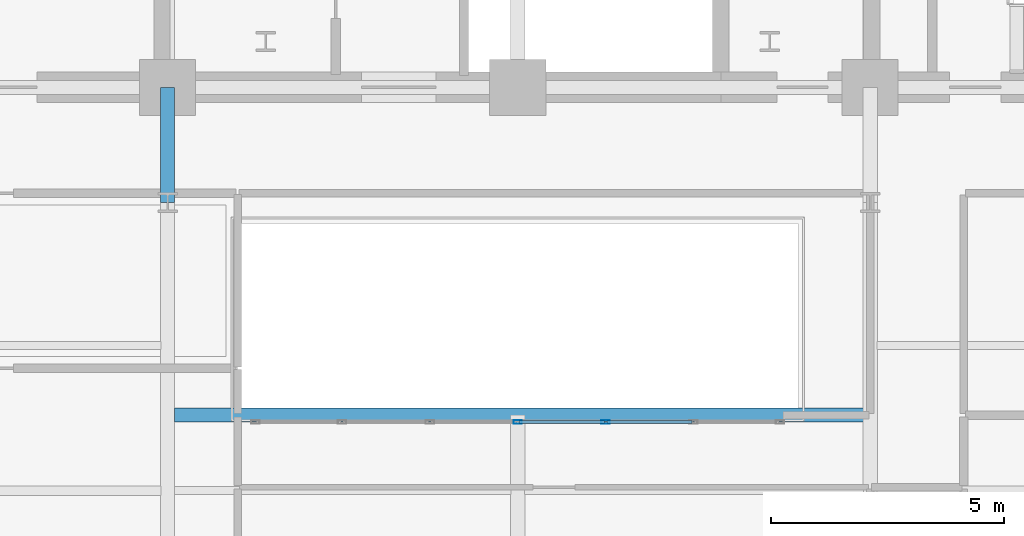
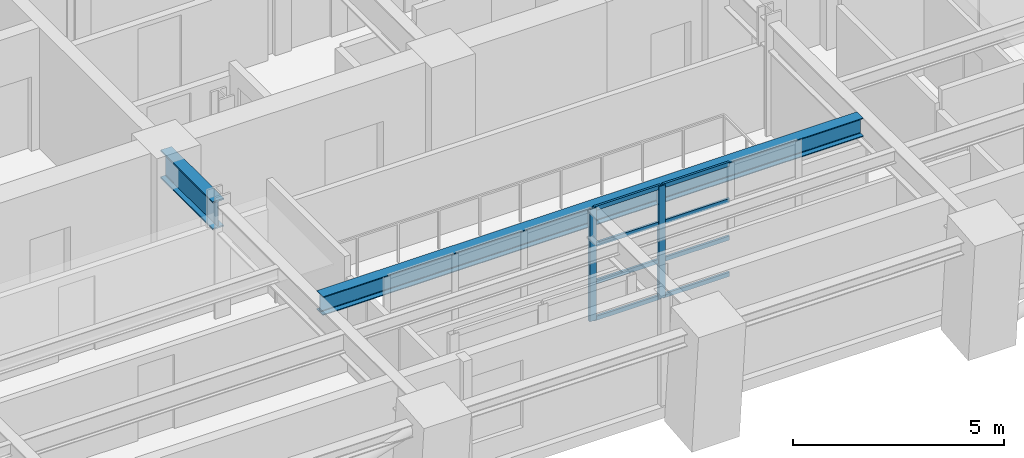
# One storey, part 3 of 16: 10 members, 2 beams, 1 element without a shape of its own.
"""IFC4 building model written with IfcOpenShell, lengths in metres."""

from ifc_helpers import new_model, si_unit, direction, frame, origin, origin_2d, place, context, subcontext, project, spatial, hollow_rectangle, i_section, extrude, material, layer, layer_set, material_profile, profile_set, type_object, element, aggregate, save


model = new_model("IFC4")

# Units and contexts
model_context = context("Model", 3, precision=1e-05, world=origin(), true_north=direction((0.0, 1.0)))
body_context = subcontext(model_context, "Body", "Model", "MODEL_VIEW")
ifc_project = project(units=[si_unit("LENGTHUNIT", "METRE"), si_unit("AREAUNIT", "SQUARE_METRE"), si_unit("VOLUMEUNIT", "CUBIC_METRE"), si_unit("PLANEANGLEUNIT", "RADIAN"), si_unit("MASSUNIT", "GRAM", prefix="KILO")], contexts=[model_context])

# Site, building, storey
site_placement = place(None, origin())
site = spatial("IfcSite", under=ifc_project, at=site_placement, CompositionType="ELEMENT")
building_placement = place(site_placement, origin())
building = spatial("IfcBuilding", under=site, at=building_placement, Name="Zarnavel Station Tower", CompositionType="ELEMENT")
storey_placement = place(building_placement, frame((0.0, 0.0, 118.800048828125)))
storey = spatial("IfcBuildingStorey", under=building, at=storey_placement, Name="L32", CompositionType="ELEMENT", Elevation=118.800048828125)

# Curtain wall, members
ifc_material_1 = material(Name="Aluminium Dark Anodised and Solar-Control Glass", Category="aluminium")
ifc_layer = layer(ifc_material_1, 0.179931640625)
ifc_layer_set = layer_set([ifc_layer], Name="CWS3")
curtain_wall_type = type_object("IfcCurtainWallType", Name="CWS3", PredefinedType="NOTDEFINED", material=ifc_layer_set)
curtain_wall_placement = place(storey_placement, origin())
curtain_wall = element("IfcCurtainWall", 1, at=curtain_wall_placement, inside=storey, type_object=curtain_wall_type, Name="L32 Curtain Wall CWS3-L32-AS", PredefinedType="NOTDEFINED")
ifc_material_2 = material(Name="Steel S355J2 (Black Fluoropolymer Coated)", Category="steel")
ifc_material_profile_1 = material_profile(ifc_material_2, hollow_rectangle(XDim=0.080078125, YDim=0.179931640625, WallThickness=0.00634765625, at=origin_2d()), Name="RHS180x80x6.3")
ifc_profile_set_1 = profile_set([ifc_material_profile_1], Name="Steel S355J2 (Black Fluoropolymer Coated)")
member_type_1 = type_object("IfcMemberType", Name="CWS3_MUL", PredefinedType="MULLION", material=ifc_profile_set_1)
member_1_placement = place(storey_placement, frame((28.800048828125, 20.64990234375, 0.0), z_axis=(0.0, 0.0, 1.0), x_axis=(0.0, 1.0, 0.0)))
member_1 = element("IfcMember", 2, at=member_1_placement, type_object=member_type_1, Name="CW3 mullion 4", PredefinedType="MULLION", context=body_context, shape_type="SweptSolid", body=[
    extrude(hollow_rectangle(XDim=0.080078125, YDim=0.179931640625, WallThickness=0.00634765625, at=origin_2d()), origin(), (0.0, 0.0, 1.0), 3.239990234375),
])
member_2_placement = place(storey_placement, frame((30.683349609375, 20.64990234375, 0.0), z_axis=(0.0, 0.0, 1.0), x_axis=(0.0, 1.0, 0.0)))
member_2 = element("IfcMember", 3, at=member_2_placement, type_object=member_type_1, Name="CW3 mullion 5", PredefinedType="MULLION", context=body_context, shape_type="SweptSolid", body=[
    extrude(hollow_rectangle(XDim=0.080078125, YDim=0.179931640625, WallThickness=0.00634765625, at=origin_2d()), origin(), (0.0, 0.0, 1.0), 3.239990234375),
])
ifc_material_3 = material(Name="Steel S355J2 (Black Fluoropolymer Coated)", Category="steel")
ifc_material_profile_2 = material_profile(ifc_material_3, hollow_rectangle(XDim=0.06005859375, YDim=0.1201171875, WallThickness=0.0048828125, at=origin_2d()), Name="RHS120x60x5")
ifc_profile_set_2 = profile_set([ifc_material_profile_2], Name="Steel S355J2 (Black Fluoropolymer Coated)")
member_type_2 = type_object("IfcMemberType", Name="CWS3_TRN", PredefinedType="USERDEFINED", material=ifc_profile_set_2)
member_3_placement = place(storey_placement, frame((28.830078125, 20.64990234375, 0.030029296875), z_axis=(1.0, 0.0, 0.0), x_axis=(0.0, 1.0, 0.0)))
member_3 = element("IfcMember", 4, at=member_3_placement, type_object=member_type_2, Name="CW3 transom 4.1", ObjectType="TRANSOM", PredefinedType="USERDEFINED", context=body_context, shape_type="SweptSolid", body=[
    extrude(hollow_rectangle(XDim=0.06005859375, YDim=0.1201171875, WallThickness=0.0048828125, at=origin_2d()), origin(), (0.0, 0.0, 1.0), 1.8232421875),
])
member_4_placement = place(storey_placement, frame((28.830078125, 20.64990234375, 1.079833984375), z_axis=(1.0, 0.0, 0.0), x_axis=(0.0, 1.0, 0.0)))
member_4 = element("IfcMember", 5, at=member_4_placement, type_object=member_type_2, Name="CW3 transom 4.2", ObjectType="TRANSOM", PredefinedType="USERDEFINED", context=body_context, shape_type="SweptSolid", body=[
    extrude(hollow_rectangle(XDim=0.06005859375, YDim=0.1201171875, WallThickness=0.0048828125, at=origin_2d()), origin(), (0.0, 0.0, 1.0), 1.8232421875),
])
member_5_placement = place(storey_placement, frame((28.830078125, 20.64990234375, 2.159912109375), z_axis=(1.0, 0.0, 0.0), x_axis=(0.0, 1.0, 0.0)))
member_5 = element("IfcMember", 6, at=member_5_placement, type_object=member_type_2, Name="CW3 transom 4.3", ObjectType="TRANSOM", PredefinedType="USERDEFINED", context=body_context, shape_type="SweptSolid", body=[
    extrude(hollow_rectangle(XDim=0.06005859375, YDim=0.1201171875, WallThickness=0.0048828125, at=origin_2d()), origin(), (0.0, 0.0, 1.0), 1.8232421875),
])
member_6_placement = place(storey_placement, frame((28.830078125, 20.64990234375, 3.2099609375), z_axis=(1.0, 0.0, 0.0), x_axis=(0.0, 1.0, 0.0)))
member_6 = element("IfcMember", 7, at=member_6_placement, type_object=member_type_2, Name="CW3 transom 4.4", ObjectType="TRANSOM", PredefinedType="USERDEFINED", context=body_context, shape_type="SweptSolid", body=[
    extrude(hollow_rectangle(XDim=0.06005859375, YDim=0.1201171875, WallThickness=0.0048828125, at=origin_2d()), origin(), (0.0, 0.0, 1.0), 1.8232421875),
])
member_7_placement = place(storey_placement, frame((30.71337890625, 20.64990234375, 0.030029296875), z_axis=(1.0, 0.0, 0.0), x_axis=(0.0, 1.0, 0.0)))
member_7 = element("IfcMember", 8, at=member_7_placement, type_object=member_type_2, Name="CW3 transom 5.1", ObjectType="TRANSOM", PredefinedType="USERDEFINED", context=body_context, shape_type="SweptSolid", body=[
    extrude(hollow_rectangle(XDim=0.06005859375, YDim=0.1201171875, WallThickness=0.0048828125, at=origin_2d()), origin(), (0.0, 0.0, 1.0), 1.8232421875),
])
member_8_placement = place(storey_placement, frame((30.71337890625, 20.64990234375, 1.079833984375), z_axis=(1.0, 0.0, 0.0), x_axis=(0.0, 1.0, 0.0)))
member_8 = element("IfcMember", 9, at=member_8_placement, type_object=member_type_2, Name="CW3 transom 5.2", ObjectType="TRANSOM", PredefinedType="USERDEFINED", context=body_context, shape_type="SweptSolid", body=[
    extrude(hollow_rectangle(XDim=0.06005859375, YDim=0.1201171875, WallThickness=0.0048828125, at=origin_2d()), origin(), (0.0, 0.0, 1.0), 1.8232421875),
])
member_9_placement = place(storey_placement, frame((30.71337890625, 20.64990234375, 2.159912109375), z_axis=(1.0, 0.0, 0.0), x_axis=(0.0, 1.0, 0.0)))
member_9 = element("IfcMember", 10, at=member_9_placement, type_object=member_type_2, Name="CW3 transom 5.3", ObjectType="TRANSOM", PredefinedType="USERDEFINED", context=body_context, shape_type="SweptSolid", body=[
    extrude(hollow_rectangle(XDim=0.06005859375, YDim=0.1201171875, WallThickness=0.0048828125, at=origin_2d()), origin(), (0.0, 0.0, 1.0), 1.8232421875),
])
member_10_placement = place(storey_placement, frame((30.71337890625, 20.64990234375, 3.2099609375), z_axis=(1.0, 0.0, 0.0), x_axis=(0.0, 1.0, 0.0)))
member_10 = element("IfcMember", 11, at=member_10_placement, type_object=member_type_2, Name="CW3 transom 5.4", ObjectType="TRANSOM", PredefinedType="USERDEFINED", context=body_context, shape_type="SweptSolid", body=[
    extrude(hollow_rectangle(XDim=0.06005859375, YDim=0.1201171875, WallThickness=0.0048828125, at=origin_2d()), origin(), (0.0, 0.0, 1.0), 1.8232421875),
])
aggregate(curtain_wall, [member_1, member_2, member_3, member_4, member_5, member_6, member_7, member_8, member_9, member_10])

# Beams
ifc_material_4 = material(Name="Steel S355J2", Category="steel")
ifc_material_profile_3 = material_profile(ifc_material_4, i_section(OverallWidth=0.300048828125, OverallDepth=0.5400390625, WebThickness=0.012451171875, FlangeThickness=0.02392578125, FilletRadius=0.027099609375, at=origin_2d()), Name="HEA550")
ifc_profile_set_3 = profile_set([ifc_material_profile_3], Name="Steel S355J2")
beam_type_1 = type_object("IfcBeamType", Name="FB_HEA550", PredefinedType="BEAM", material=ifc_profile_set_3)
beam_1_placement = place(storey_placement, frame((21.445068359375, 20.800048828125, 2.969970703125), z_axis=(1.0, 0.0, 0.0), x_axis=(0.0, 1.0, 0.0)))
element("IfcBeam", 12, at=beam_1_placement, inside=storey, type_object=beam_type_1, Name="L32 Atrium South Edge Girder", PredefinedType="BEAM", context=body_context, shape_type="SweptSolid", body=[
    extrude(i_section(OverallWidth=0.300048828125, OverallDepth=0.5400390625, WebThickness=0.012451171875, FlangeThickness=0.02392578125, FilletRadius=0.027099609375, at=origin_2d()), origin(), (0.0, 0.0, 1.0), 14.760009765625),
])
ifc_material_5 = material(Name="Steel S460M", Category="steel")
ifc_material_profile_4 = material_profile(ifc_material_5, i_section(OverallWidth=0.302978515625, OverallDepth=0.81396484375, WebThickness=0.02099609375, FlangeThickness=0.0400390625, FilletRadius=0.030029296875, at=origin_2d()), Name="HEM800")
ifc_profile_set_4 = profile_set([ifc_material_profile_4], Name="Steel S460M")
beam_type_2 = type_object("IfcBeamType", Name="FG_HEM800", PredefinedType="USERDEFINED", material=ifc_profile_set_4)
beam_2_placement = place(storey_placement, frame((21.300048828125, 25.35009765625, 2.8330078125), z_axis=(0.0, 1.0, 0.0), x_axis=(-1.0, 0.0, 0.0)))
element("IfcBeam", 13, at=beam_2_placement, inside=storey, type_object=beam_type_2, Name="L32 Inner-Zone NS Girder 2", ObjectType="GIRDER", PredefinedType="USERDEFINED", context=body_context, shape_type="SweptSolid", body=[
    extrude(i_section(OverallWidth=0.302978515625, OverallDepth=0.81396484375, WebThickness=0.02099609375, FlangeThickness=0.0400390625, FilletRadius=0.030029296875, at=origin_2d()), origin(), (0.0, 0.0, 1.0), 2.469970703125),
])

save(model, "model.ifc")
